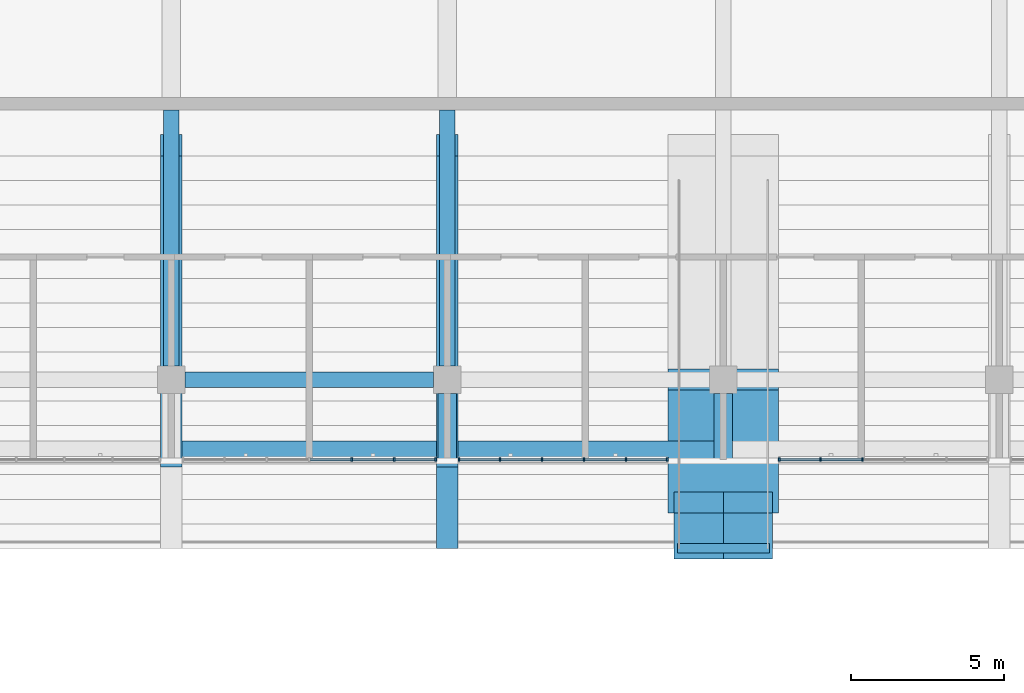
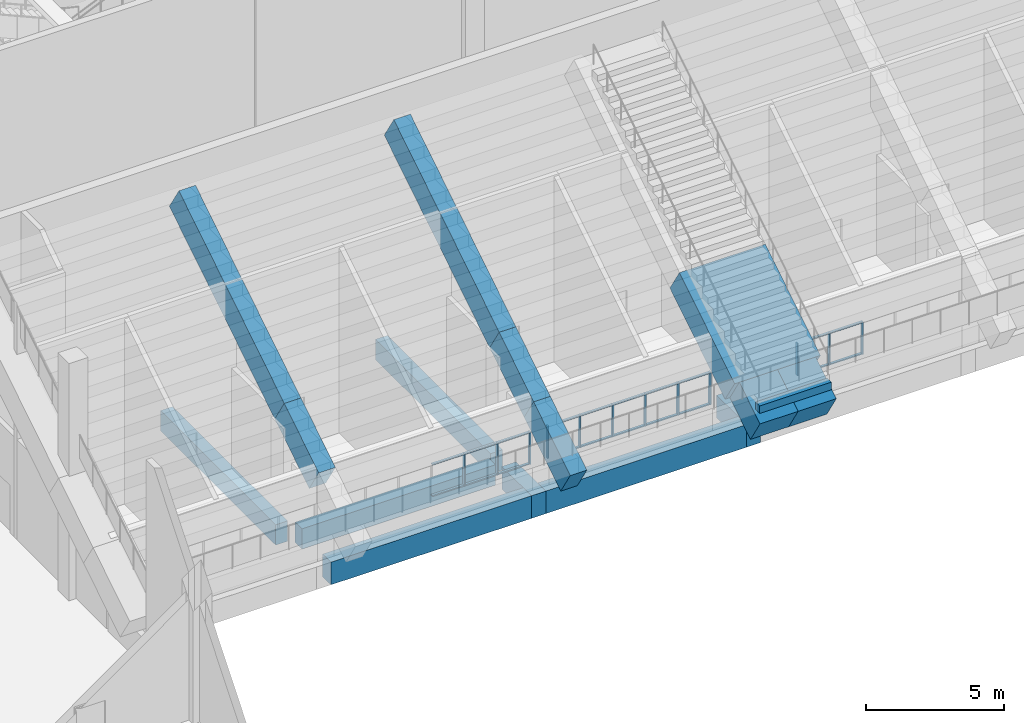
# One storey, part 36 of 182: 32 members, 16 beams, 3 elements without a shape of their own.
"""IFC4 building model written with IfcOpenShell, lengths in metres."""

from ifc_helpers import new_model, si_unit, direction, frame, origin, origin_2d, place, context, subcontext, project, spatial, rectangle, extrude, material, material_profile, profile_set, type_object, element, aggregate, save


model = new_model("IFC4")

# Units and contexts
model_context = context("Model", 3, precision=1e-05, world=origin(), true_north=direction((0.0, 1.0)))
body_context = subcontext(model_context, "Body", "Model", "MODEL_VIEW")
ifc_project = project(units=[si_unit("LENGTHUNIT", "METRE"), si_unit("AREAUNIT", "SQUARE_METRE"), si_unit("VOLUMEUNIT", "CUBIC_METRE"), si_unit("PLANEANGLEUNIT", "RADIAN"), si_unit("MASSUNIT", "GRAM", prefix="KILO")], contexts=[model_context])

# Site, building, storey
site_placement = place(None, origin())
site = spatial("IfcSite", under=ifc_project, at=site_placement, CompositionType="ELEMENT")
building_placement = place(site_placement, origin())
building = spatial("IfcBuilding", under=site, at=building_placement, Name="Silverbay Arena", CompositionType="ELEMENT")
storey_placement = place(building_placement, frame((0.0, 0.0, 11.5)))
storey = spatial("IfcBuildingStorey", under=building, at=storey_placement, Name="L02", CompositionType="ELEMENT", Elevation=11.5)

# Curtain wall, members
ifc_material_1 = material(Name="Fire-resisting glass", Category="glass")
curtain_wall_type_1 = type_object("IfcCurtainWallType", Name="Fire-resisting glazed screen EI 120 8300 x 1437", PredefinedType="NOTDEFINED", material=ifc_material_1)
curtain_wall_1_placement = place(storey_placement, origin())
curtain_wall_1 = element("IfcCurtainWall", 1, at=curtain_wall_1_placement, inside=storey, type_object=curtain_wall_type_1, Name="North suite front 2", PredefinedType="NOTDEFINED")
ifc_material_2 = material(Name="Aluminium", Category="aluminium")
ifc_material_profile_1 = material_profile(ifc_material_2, rectangle(XDim=0.1201171875, YDim=0.06005859375, at=origin_2d()), Name="Mullion 60 x 120")
ifc_profile_set_1 = profile_set([ifc_material_profile_1], Name="Aluminium")
member_type_1 = type_object("IfcMemberType", Name="Mullion 60 x 120", PredefinedType="MULLION", material=ifc_profile_set_1)
member_1_placement = place(storey_placement, frame((113.88330078125, 114.39990234375, 1.10009765625), z_axis=(0.0, 0.0, 1.0), x_axis=(0.0, 1.0, 0.0)))
member_1 = element("IfcMember", 2, at=member_1_placement, type_object=member_type_1, Name="CW18 mullion 5", PredefinedType="MULLION", context=body_context, shape_type="SweptSolid", body=[
    extrude(rectangle(XDim=0.1201171875, YDim=0.06005859375, at=origin_2d()), origin(), (0.0, 0.0, 1.0), 1.43701171875),
])
member_2_placement = place(storey_placement, frame((115.2666015625, 114.39990234375, 1.10009765625), z_axis=(0.0, 0.0, 1.0), x_axis=(0.0, 1.0, 0.0)))
member_2 = element("IfcMember", 3, at=member_2_placement, type_object=member_type_1, Name="CW18 mullion 6", PredefinedType="MULLION", context=body_context, shape_type="SweptSolid", body=[
    extrude(rectangle(XDim=0.1201171875, YDim=0.06005859375, at=origin_2d()), origin(), (0.0, 0.0, 1.0), 1.43701171875),
])
member_3_placement = place(storey_placement, frame((116.6201171875, 114.39990234375, 1.10009765625), z_axis=(0.0, 0.0, 1.0), x_axis=(0.0, 1.0, 0.0)))
member_3 = element("IfcMember", 4, at=member_3_placement, type_object=member_type_1, Name="CW18 mullion 7", PredefinedType="MULLION", context=body_context, shape_type="SweptSolid", body=[
    extrude(rectangle(XDim=0.1201171875, YDim=0.06005859375, at=origin_2d()), origin(), (0.0, 0.0, 1.0), 1.43701171875),
])

ifc_material_3 = material(Name="Fire-resisting glass", Category="glass")
curtain_wall_type_2 = type_object("IfcCurtainWallType", Name="Fire-resisting glazed screen EI 120 6850 x 1437", PredefinedType="NOTDEFINED", material=ifc_material_3)
curtain_wall_2_placement = place(storey_placement, origin())
curtain_wall_2 = element("IfcCurtainWall", 5, at=curtain_wall_2_placement, inside=storey, type_object=curtain_wall_type_2, Name="North suite front 3", PredefinedType="NOTDEFINED")
member_4_placement = place(storey_placement, frame((117.3798828125, 114.39990234375, 1.10009765625), z_axis=(0.0, 0.0, 1.0), x_axis=(0.0, 1.0, 0.0)))
member_4 = element("IfcMember", 6, at=member_4_placement, type_object=member_type_1, Name="CW19 mullion 1", PredefinedType="MULLION", context=body_context, shape_type="SweptSolid", body=[
    extrude(rectangle(XDim=0.1201171875, YDim=0.06005859375, at=origin_2d()), origin(), (0.0, 0.0, 1.0), 1.43701171875),
])
member_5_placement = place(storey_placement, frame((118.719970703125, 114.39990234375, 1.10009765625), z_axis=(0.0, 0.0, 1.0), x_axis=(0.0, 1.0, 0.0)))
member_5 = element("IfcMember", 7, at=member_5_placement, type_object=member_type_1, Name="CW19 mullion 2", PredefinedType="MULLION", context=body_context, shape_type="SweptSolid", body=[
    extrude(rectangle(XDim=0.1201171875, YDim=0.06005859375, at=origin_2d()), origin(), (0.0, 0.0, 1.0), 1.43701171875),
])
member_6_placement = place(storey_placement, frame((120.090087890625, 114.39990234375, 1.10009765625), z_axis=(0.0, 0.0, 1.0), x_axis=(0.0, 1.0, 0.0)))
member_6 = element("IfcMember", 8, at=member_6_placement, type_object=member_type_1, Name="CW19 mullion 3", PredefinedType="MULLION", context=body_context, shape_type="SweptSolid", body=[
    extrude(rectangle(XDim=0.1201171875, YDim=0.06005859375, at=origin_2d()), origin(), (0.0, 0.0, 1.0), 1.43701171875),
])
member_7_placement = place(storey_placement, frame((121.4599609375, 114.39990234375, 1.10009765625), z_axis=(0.0, 0.0, 1.0), x_axis=(0.0, 1.0, 0.0)))
member_7 = element("IfcMember", 9, at=member_7_placement, type_object=member_type_1, Name="CW19 mullion 4", PredefinedType="MULLION", context=body_context, shape_type="SweptSolid", body=[
    extrude(rectangle(XDim=0.1201171875, YDim=0.06005859375, at=origin_2d()), origin(), (0.0, 0.0, 1.0), 1.43701171875),
])
member_8_placement = place(storey_placement, frame((122.830078125, 114.39990234375, 1.10009765625), z_axis=(0.0, 0.0, 1.0), x_axis=(0.0, 1.0, 0.0)))
member_8 = element("IfcMember", 10, at=member_8_placement, type_object=member_type_1, Name="CW19 mullion 5", PredefinedType="MULLION", context=body_context, shape_type="SweptSolid", body=[
    extrude(rectangle(XDim=0.1201171875, YDim=0.06005859375, at=origin_2d()), origin(), (0.0, 0.0, 1.0), 1.43701171875),
])
member_9_placement = place(storey_placement, frame((124.169921875, 114.39990234375, 1.10009765625), z_axis=(0.0, 0.0, 1.0), x_axis=(0.0, 1.0, 0.0)))
member_9 = element("IfcMember", 11, at=member_9_placement, type_object=member_type_1, Name="CW19 mullion 6", PredefinedType="MULLION", context=body_context, shape_type="SweptSolid", body=[
    extrude(rectangle(XDim=0.1201171875, YDim=0.06005859375, at=origin_2d()), origin(), (0.0, 0.0, 1.0), 1.43701171875),
])

curtain_wall_3_placement = place(storey_placement, origin())
curtain_wall_3 = element("IfcCurtainWall", 12, at=curtain_wall_3_placement, inside=storey, type_object=curtain_wall_type_2, Name="North suite front 4", PredefinedType="NOTDEFINED")
member_10_placement = place(storey_placement, frame((127.830078125, 114.39990234375, 1.10009765625), z_axis=(0.0, 0.0, 1.0), x_axis=(0.0, 1.0, 0.0)))
member_10 = element("IfcMember", 13, at=member_10_placement, type_object=member_type_1, Name="CW19 mullion 1", PredefinedType="MULLION", context=body_context, shape_type="SweptSolid", body=[
    extrude(rectangle(XDim=0.1201171875, YDim=0.06005859375, at=origin_2d()), origin(), (0.0, 0.0, 1.0), 1.43701171875),
])
member_11_placement = place(storey_placement, frame((129.169921875, 114.39990234375, 1.10009765625), z_axis=(0.0, 0.0, 1.0), x_axis=(0.0, 1.0, 0.0)))
member_11 = element("IfcMember", 14, at=member_11_placement, type_object=member_type_1, Name="CW19 mullion 2", PredefinedType="MULLION", context=body_context, shape_type="SweptSolid", body=[
    extrude(rectangle(XDim=0.1201171875, YDim=0.06005859375, at=origin_2d()), origin(), (0.0, 0.0, 1.0), 1.43701171875),
])
member_12_placement = place(storey_placement, frame((130.5400390625, 114.39990234375, 1.10009765625), z_axis=(0.0, 0.0, 1.0), x_axis=(0.0, 1.0, 0.0)))
member_12 = element("IfcMember", 15, at=member_12_placement, type_object=member_type_1, Name="CW19 mullion 3", PredefinedType="MULLION", context=body_context, shape_type="SweptSolid", body=[
    extrude(rectangle(XDim=0.1201171875, YDim=0.06005859375, at=origin_2d()), origin(), (0.0, 0.0, 1.0), 1.43701171875),
])

# Beams
ifc_material_4 = material(Name="Concrete Grade C45", Category="concrete")
ifc_material_profile_2 = material_profile(ifc_material_4, rectangle(XDim=0.5, YDim=0.89990234375, at=origin_2d()), Name="RC 500x900")
ifc_profile_set_2 = profile_set([ifc_material_profile_2], Name="Concrete Grade C45")
beam_type_1 = type_object("IfcBeamType", Name="RC beam 500x900", PredefinedType="BEAM", material=ifc_profile_set_2)
beam_1_placement = place(storey_placement, frame((108.449951171875, 117.0, -0.800048828125), z_axis=(1.0, 0.0, 0.0), x_axis=(0.0, 1.0, 0.0)))
element("IfcBeam", 16, at=beam_1_placement, inside=storey, type_object=beam_type_1, Name="Floor beam L02 143", PredefinedType="BEAM", context=body_context, shape_type="SweptSolid", body=[
    extrude(rectangle(XDim=0.5, YDim=0.89990234375, at=origin_2d()), origin(), (0.0, 0.0, 1.0), 8.10009765625),
])
for number, where, z_axis, x_axis, name in (
    (17, (108.0, 117.449951171875, -0.800048828125), (0.0, 1.0, 0.0), (-1.0, 0.0, 0.0), "Floor beam L02 257"),
    (18, (117.0, 117.449951171875, -0.800048828125), (0.0, 1.0, 0.0), (-1.0, 0.0, 0.0), "Floor beam L02 263"),
):
    element("IfcBeam", number, at=place(storey_placement, frame(where, z_axis=z_axis, x_axis=x_axis)), inside=storey, type_object=beam_type_1, Name=name, PredefinedType="BEAM", context=body_context, shape_type="SweptSolid", body=[
        extrude(rectangle(XDim=0.5, YDim=0.89990234375, at=origin_2d()), origin(), (0.0, 0.0, 1.0), 8.35009765625),
    ])
ifc_material_5 = material(Name="Concrete Grade C45", Category="concrete")
ifc_material_profile_3 = material_profile(ifc_material_5, rectangle(XDim=0.60009765625, YDim=1.0, at=origin_2d()), Name="RC 600x1000")
ifc_profile_set_3 = profile_set([ifc_material_profile_3], Name="Concrete Grade C45")
beam_type_2 = type_object("IfcBeamType", Name="RC beam 600x1000", PredefinedType="BEAM", material=ifc_profile_set_3)
for number, where, z_axis, x_axis, name in (
    (19, (117.0, 114.39990234375, -0.85009765625), (0.0, 1.0, 0.0), (-1.0, 0.0, 0.0), "Floor beam L02 262"),
    (20, (126.0, 114.39990234375, -0.85009765625), (0.0, 1.0, 0.0), (-1.0, 0.0, 0.0), "Floor beam L02 269"),
):
    element("IfcBeam", number, at=place(storey_placement, frame(where, z_axis=z_axis, x_axis=x_axis)), inside=storey, type_object=beam_type_2, Name=name, PredefinedType="BEAM", context=body_context, shape_type="SweptSolid", body=[
        extrude(rectangle(XDim=0.60009765625, YDim=1.0, at=origin_2d()), origin(), (0.0, 0.0, 1.0), 2.150146484375),
    ])
for number, where, z_axis, x_axis, name in (
    (21, (108.300048828125, 114.699951171875, -0.85009765625), (1.0, 0.0, 0.0), (0.0, 1.0, 0.0), "Floor beam L02 373"),
    (22, (117.300048828125, 114.699951171875, -0.85009765625), (1.0, 0.0, 0.0), (0.0, 1.0, 0.0), "Floor beam L02 374"),
):
    element("IfcBeam", number, at=place(storey_placement, frame(where, z_axis=z_axis, x_axis=x_axis)), inside=storey, type_object=beam_type_2, Name=name, PredefinedType="BEAM", context=body_context, shape_type="SweptSolid", body=[
        extrude(rectangle(XDim=0.60009765625, YDim=1.0, at=origin_2d()), origin(), (0.0, 0.0, 1.0), 8.39990234375),
    ])
ifc_material_6 = material(Name="Concrete Grade C45", Category="concrete")
ifc_material_profile_4 = material_profile(ifc_material_6, rectangle(XDim=1.60009765625, YDim=1.300048828125, at=origin_2d()), Name="RC 1600x1300")
ifc_profile_set_4 = profile_set([ifc_material_profile_4], Name="Concrete Grade C45")
beam_type_3 = type_object("IfcBeamType", Name="RC cantilever raker 1600x1300", PredefinedType="BEAM", material=ifc_profile_set_4)
for number, where, z_axis, x_axis, name in (
    (23, (125.199951171875, 111.5, 1.553466796875), (0.0, 0.847998304005, 0.529998940003), (-1.0, 0.0, 0.0), "Raker North upper 126 nose L"),
    (24, (126.800048828125, 111.5, 1.553466796875), (0.0, 0.847998304005, 0.529998940003), (-1.0, 0.0, 0.0), "Raker North upper 126 nose R"),
):
    element("IfcBeam", number, at=place(storey_placement, frame(where, z_axis=z_axis, x_axis=x_axis)), inside=storey, type_object=beam_type_3, Name=name, PredefinedType="BEAM", context=body_context, shape_type="SweptSolid", body=[
        extrude(rectangle(XDim=1.60009765625, YDim=1.300048828125, at=origin_2d()), origin(), (0.0, 0.0, 1.0), 1.768798828125),
    ])
ifc_material_7 = material(Name="Concrete Grade C45", Category="concrete")
ifc_material_profile_5 = material_profile(ifc_material_7, rectangle(XDim=3.60009765625, YDim=1.300048828125, at=origin_2d()), Name="RC 3600x1300")
ifc_profile_set_5 = profile_set([ifc_material_profile_5], Name="Concrete Grade C45")
beam_type_4 = type_object("IfcBeamType", Name="RC cantilever raker 3600x1300", PredefinedType="BEAM", material=ifc_profile_set_5)
beam_2_placement = place(storey_placement, frame((126.0, 113.0, 2.490966796875), z_axis=(0.0, 0.847998304005, 0.529998940003), x_axis=(-1.0, 0.0, 0.0)))
element("IfcBeam", 25, at=beam_2_placement, inside=storey, type_object=beam_type_4, Name="Raker North upper 126 tip", PredefinedType="BEAM", context=body_context, shape_type="SweptSolid", body=[
    extrude(rectangle(XDim=3.60009765625, YDim=1.300048828125, at=origin_2d()), origin(), (0.0, 0.0, 1.0), 4.717041015625),
])
ifc_material_8 = material(Name="Concrete Grade C45", Category="concrete")
ifc_material_profile_6 = material_profile(ifc_material_8, rectangle(XDim=0.699951171875, YDim=1.300048828125, at=origin_2d()), Name="RC 700x1300")
ifc_profile_set_6 = profile_set([ifc_material_profile_6], Name="Concrete Grade C45")
beam_type_5 = type_object("IfcBeamType", Name="RC cantilever raker 700x1300", PredefinedType="BEAM", material=ifc_profile_set_6)
beam_3_placement = place(storey_placement, frame((108.0, 114.5, 3.428466796875), z_axis=(0.0, 0.847998304005, 0.529998940003), x_axis=(-1.0, 0.0, 0.0)))
element("IfcBeam", 26, at=beam_3_placement, inside=storey, type_object=beam_type_5, Name="Raker North upper 108 mid", PredefinedType="BEAM", context=body_context, shape_type="SweptSolid", body=[
    extrude(rectangle(XDim=0.699951171875, YDim=1.300048828125, at=origin_2d()), origin(), (0.0, 0.0, 1.0), 2.947998046875),
])
beam_4_placement = place(storey_placement, frame((117.0, 111.844482421875, 1.768798828125), z_axis=(0.0, 0.848002683915, 0.529991932082), x_axis=(-1.0, 0.0, 0.0)))
element("IfcBeam", 27, at=beam_4_placement, inside=storey, type_object=beam_type_5, Name="Raker North upper 117 tip", PredefinedType="BEAM", context=body_context, shape_type="SweptSolid", body=[
    extrude(rectangle(XDim=0.699951171875, YDim=1.300048828125, at=origin_2d()), origin(), (0.0, 0.0, 1.0), 3.131591796875),
])
beam_5_placement = place(storey_placement, frame((117.0, 114.5, 3.428466796875), z_axis=(0.0, 0.847998304005, 0.529998940003), x_axis=(-1.0, 0.0, 0.0)))
element("IfcBeam", 28, at=beam_5_placement, inside=storey, type_object=beam_type_5, Name="Raker North upper 117 mid", PredefinedType="BEAM", context=body_context, shape_type="SweptSolid", body=[
    extrude(rectangle(XDim=0.699951171875, YDim=1.300048828125, at=origin_2d()), origin(), (0.0, 0.0, 1.0), 2.947998046875),
])
ifc_material_9 = material(Name="Concrete Grade C45", Category="concrete")
ifc_material_profile_7 = material_profile(ifc_material_9, rectangle(XDim=0.300048828125, YDim=0.336181640625, at=origin_2d()), Name="RC 300x336")
ifc_profile_set_7 = profile_set([ifc_material_profile_7], Name="Concrete Grade C45")
beam_type_6 = type_object("IfcBeamType", Name="RC foot plinth 300x336", PredefinedType="BEAM", material=ifc_profile_set_7)
beam_6_placement = place(storey_placement, frame((124.5, 111.5, 2.581787109375), z_axis=(1.0, 0.0, 0.0), x_axis=(0.0, 1.0, 0.0)))
element("IfcBeam", 29, at=beam_6_placement, inside=storey, type_object=beam_type_6, Name="Foot plinth North upper 126", PredefinedType="BEAM", context=body_context, shape_type="SweptSolid", body=[
    extrude(rectangle(XDim=0.300048828125, YDim=0.336181640625, at=origin_2d()), origin(), (0.0, 0.0, 1.0), 3.0),
])
ifc_material_10 = material(Name="Concrete Grade C45", Category="concrete")
ifc_material_profile_8 = material_profile(ifc_material_10, rectangle(XDim=0.699951171875, YDim=1.300048828125, at=origin_2d()), Name="RC 700x1300")
ifc_profile_set_8 = profile_set([ifc_material_profile_8], Name="Concrete Grade C45")
beam_type_7 = type_object("IfcBeamType", Name="RC tier raker 700x1300", PredefinedType="BEAM", material=ifc_profile_set_8)
for number, where, z_axis, x_axis, name in (
    (30, (108.0, 117.0, 4.990966796875), (0.0, 0.847998304005, 0.529998940003), (-1.0, 0.0, 0.0), "Raker North upper 108 back"),
    (31, (117.0, 117.0, 4.990966796875), (0.0, 0.847998304005, 0.529998940003), (-1.0, 0.0, 0.0), "Raker North upper 117 back"),
):
    element("IfcBeam", number, at=place(storey_placement, frame(where, z_axis=z_axis, x_axis=x_axis)), inside=storey, type_object=beam_type_7, Name=name, PredefinedType="BEAM", context=body_context, shape_type="SweptSolid", body=[
        extrude(rectangle(XDim=0.699951171875, YDim=1.300048828125, at=origin_2d()), origin(), (0.0, 0.0, 1.0), 9.014892578125),
    ])

# Member
ifc_material_11 = material(Name="Aluminium", Category="aluminium")
ifc_material_profile_9 = material_profile(ifc_material_11, rectangle(XDim=0.10009765625, YDim=0.050048828125, at=origin_2d()), Name="Transom 50 x 100")
ifc_profile_set_9 = profile_set([ifc_material_profile_9], Name="Aluminium")
member_type_2 = type_object("IfcMemberType", Name="Transom 50 x 100", PredefinedType="USERDEFINED", material=ifc_profile_set_9)
member_13_placement = place(storey_placement, frame((112.530029296875, 114.39990234375, 1.125), z_axis=(1.0, 0.0, 0.0), x_axis=(0.0, 1.0, 0.0)))
member_13 = element("IfcMember", 32, at=member_13_placement, type_object=member_type_2, Name="CW18 transom 4.1", ObjectType="TRANSOM", PredefinedType="USERDEFINED", context=body_context, shape_type="SweptSolid", body=[
    extrude(rectangle(XDim=0.10009765625, YDim=0.050048828125, at=origin_2d()), origin(), (0.0, 0.0, 1.0), 1.3232421875),
])

member_14_placement = place(storey_placement, frame((112.530029296875, 114.39990234375, 2.511962890625), z_axis=(1.0, 0.0, 0.0), x_axis=(0.0, 1.0, 0.0)))
member_14 = element("IfcMember", 33, at=member_14_placement, type_object=member_type_2, Name="CW18 transom 4.2", ObjectType="TRANSOM", PredefinedType="USERDEFINED", context=body_context, shape_type="SweptSolid", body=[
    extrude(rectangle(XDim=0.10009765625, YDim=0.050048828125, at=origin_2d()), origin(), (0.0, 0.0, 1.0), 1.3232421875),
])

member_15_placement = place(storey_placement, frame((113.913330078125, 114.39990234375, 1.125), z_axis=(1.0, 0.0, 0.0), x_axis=(0.0, 1.0, 0.0)))
member_15 = element("IfcMember", 34, at=member_15_placement, type_object=member_type_2, Name="CW18 transom 5.1", ObjectType="TRANSOM", PredefinedType="USERDEFINED", context=body_context, shape_type="SweptSolid", body=[
    extrude(rectangle(XDim=0.10009765625, YDim=0.050048828125, at=origin_2d()), origin(), (0.0, 0.0, 1.0), 1.3232421875),
])

member_16_placement = place(storey_placement, frame((113.913330078125, 114.39990234375, 2.511962890625), z_axis=(1.0, 0.0, 0.0), x_axis=(0.0, 1.0, 0.0)))
member_16 = element("IfcMember", 35, at=member_16_placement, type_object=member_type_2, Name="CW18 transom 5.2", ObjectType="TRANSOM", PredefinedType="USERDEFINED", context=body_context, shape_type="SweptSolid", body=[
    extrude(rectangle(XDim=0.10009765625, YDim=0.050048828125, at=origin_2d()), origin(), (0.0, 0.0, 1.0), 1.3232421875),
])

member_17_placement = place(storey_placement, frame((115.296630859375, 114.39990234375, 1.125), z_axis=(1.0, 0.0, 0.0), x_axis=(0.0, 1.0, 0.0)))
member_17 = element("IfcMember", 36, at=member_17_placement, type_object=member_type_2, Name="CW18 transom 6.1", ObjectType="TRANSOM", PredefinedType="USERDEFINED", context=body_context, shape_type="SweptSolid", body=[
    extrude(rectangle(XDim=0.10009765625, YDim=0.050048828125, at=origin_2d()), origin(), (0.0, 0.0, 1.0), 1.29345703125),
])

member_18_placement = place(storey_placement, frame((115.296630859375, 114.39990234375, 2.511962890625), z_axis=(1.0, 0.0, 0.0), x_axis=(0.0, 1.0, 0.0)))
member_18 = element("IfcMember", 37, at=member_18_placement, type_object=member_type_2, Name="CW18 transom 6.2", ObjectType="TRANSOM", PredefinedType="USERDEFINED", context=body_context, shape_type="SweptSolid", body=[
    extrude(rectangle(XDim=0.10009765625, YDim=0.050048828125, at=origin_2d()), origin(), (0.0, 0.0, 1.0), 1.29345703125),
])

aggregate(curtain_wall_1, [member_1, member_2, member_3, member_13, member_14, member_15, member_16, member_17, member_18])

member_19_placement = place(storey_placement, frame((117.409912109375, 114.39990234375, 1.125), z_axis=(1.0, 0.0, 0.0), x_axis=(0.0, 1.0, 0.0)))
member_19 = element("IfcMember", 38, at=member_19_placement, type_object=member_type_2, Name="CW19 transom 1.1", ObjectType="TRANSOM", PredefinedType="USERDEFINED", context=body_context, shape_type="SweptSolid", body=[
    extrude(rectangle(XDim=0.10009765625, YDim=0.050048828125, at=origin_2d()), origin(), (0.0, 0.0, 1.0), 1.280029296875),
])

member_20_placement = place(storey_placement, frame((117.409912109375, 114.39990234375, 2.511962890625), z_axis=(1.0, 0.0, 0.0), x_axis=(0.0, 1.0, 0.0)))
member_20 = element("IfcMember", 39, at=member_20_placement, type_object=member_type_2, Name="CW19 transom 1.2", ObjectType="TRANSOM", PredefinedType="USERDEFINED", context=body_context, shape_type="SweptSolid", body=[
    extrude(rectangle(XDim=0.10009765625, YDim=0.050048828125, at=origin_2d()), origin(), (0.0, 0.0, 1.0), 1.280029296875),
])

member_21_placement = place(storey_placement, frame((118.75, 114.39990234375, 1.125), z_axis=(1.0, 0.0, 0.0), x_axis=(0.0, 1.0, 0.0)))
member_21 = element("IfcMember", 40, at=member_21_placement, type_object=member_type_2, Name="CW19 transom 2.1", ObjectType="TRANSOM", PredefinedType="USERDEFINED", context=body_context, shape_type="SweptSolid", body=[
    extrude(rectangle(XDim=0.10009765625, YDim=0.050048828125, at=origin_2d()), origin(), (0.0, 0.0, 1.0), 1.31005859375),
])

member_22_placement = place(storey_placement, frame((118.75, 114.39990234375, 2.511962890625), z_axis=(1.0, 0.0, 0.0), x_axis=(0.0, 1.0, 0.0)))
member_22 = element("IfcMember", 41, at=member_22_placement, type_object=member_type_2, Name="CW19 transom 2.2", ObjectType="TRANSOM", PredefinedType="USERDEFINED", context=body_context, shape_type="SweptSolid", body=[
    extrude(rectangle(XDim=0.10009765625, YDim=0.050048828125, at=origin_2d()), origin(), (0.0, 0.0, 1.0), 1.31005859375),
])

member_23_placement = place(storey_placement, frame((120.1201171875, 114.39990234375, 1.125), z_axis=(1.0, 0.0, 0.0), x_axis=(0.0, 1.0, 0.0)))
member_23 = element("IfcMember", 42, at=member_23_placement, type_object=member_type_2, Name="CW19 transom 3.1", ObjectType="TRANSOM", PredefinedType="USERDEFINED", context=body_context, shape_type="SweptSolid", body=[
    extrude(rectangle(XDim=0.10009765625, YDim=0.050048828125, at=origin_2d()), origin(), (0.0, 0.0, 1.0), 1.309814453125),
])

member_24_placement = place(storey_placement, frame((120.1201171875, 114.39990234375, 2.511962890625), z_axis=(1.0, 0.0, 0.0), x_axis=(0.0, 1.0, 0.0)))
member_24 = element("IfcMember", 43, at=member_24_placement, type_object=member_type_2, Name="CW19 transom 3.2", ObjectType="TRANSOM", PredefinedType="USERDEFINED", context=body_context, shape_type="SweptSolid", body=[
    extrude(rectangle(XDim=0.10009765625, YDim=0.050048828125, at=origin_2d()), origin(), (0.0, 0.0, 1.0), 1.309814453125),
])

member_25_placement = place(storey_placement, frame((121.489990234375, 114.39990234375, 1.125), z_axis=(1.0, 0.0, 0.0), x_axis=(0.0, 1.0, 0.0)))
member_25 = element("IfcMember", 44, at=member_25_placement, type_object=member_type_2, Name="CW19 transom 4.1", ObjectType="TRANSOM", PredefinedType="USERDEFINED", context=body_context, shape_type="SweptSolid", body=[
    extrude(rectangle(XDim=0.10009765625, YDim=0.050048828125, at=origin_2d()), origin(), (0.0, 0.0, 1.0), 1.31005859375),
])

member_26_placement = place(storey_placement, frame((121.489990234375, 114.39990234375, 2.511962890625), z_axis=(1.0, 0.0, 0.0), x_axis=(0.0, 1.0, 0.0)))
member_26 = element("IfcMember", 45, at=member_26_placement, type_object=member_type_2, Name="CW19 transom 4.2", ObjectType="TRANSOM", PredefinedType="USERDEFINED", context=body_context, shape_type="SweptSolid", body=[
    extrude(rectangle(XDim=0.10009765625, YDim=0.050048828125, at=origin_2d()), origin(), (0.0, 0.0, 1.0), 1.31005859375),
])

member_27_placement = place(storey_placement, frame((122.860107421875, 114.39990234375, 1.125), z_axis=(1.0, 0.0, 0.0), x_axis=(0.0, 1.0, 0.0)))
member_27 = element("IfcMember", 46, at=member_27_placement, type_object=member_type_2, Name="CW19 transom 5.1", ObjectType="TRANSOM", PredefinedType="USERDEFINED", context=body_context, shape_type="SweptSolid", body=[
    extrude(rectangle(XDim=0.10009765625, YDim=0.050048828125, at=origin_2d()), origin(), (0.0, 0.0, 1.0), 1.27978515625),
])

member_28_placement = place(storey_placement, frame((122.860107421875, 114.39990234375, 2.511962890625), z_axis=(1.0, 0.0, 0.0), x_axis=(0.0, 1.0, 0.0)))
member_28 = element("IfcMember", 47, at=member_28_placement, type_object=member_type_2, Name="CW19 transom 5.2", ObjectType="TRANSOM", PredefinedType="USERDEFINED", context=body_context, shape_type="SweptSolid", body=[
    extrude(rectangle(XDim=0.10009765625, YDim=0.050048828125, at=origin_2d()), origin(), (0.0, 0.0, 1.0), 1.27978515625),
])

aggregate(curtain_wall_2, [member_4, member_5, member_6, member_7, member_8, member_9, member_19, member_20, member_21, member_22, member_23, member_24, member_25, member_26, member_27, member_28])

member_29_placement = place(storey_placement, frame((127.860107421875, 114.39990234375, 1.125), z_axis=(1.0, 0.0, 0.0), x_axis=(0.0, 1.0, 0.0)))
member_29 = element("IfcMember", 48, at=member_29_placement, type_object=member_type_2, Name="CW19 transom 1.1", ObjectType="TRANSOM", PredefinedType="USERDEFINED", context=body_context, shape_type="SweptSolid", body=[
    extrude(rectangle(XDim=0.10009765625, YDim=0.050048828125, at=origin_2d()), origin(), (0.0, 0.0, 1.0), 1.27978515625),
])

member_30_placement = place(storey_placement, frame((127.860107421875, 114.39990234375, 2.511962890625), z_axis=(1.0, 0.0, 0.0), x_axis=(0.0, 1.0, 0.0)))
member_30 = element("IfcMember", 49, at=member_30_placement, type_object=member_type_2, Name="CW19 transom 1.2", ObjectType="TRANSOM", PredefinedType="USERDEFINED", context=body_context, shape_type="SweptSolid", body=[
    extrude(rectangle(XDim=0.10009765625, YDim=0.050048828125, at=origin_2d()), origin(), (0.0, 0.0, 1.0), 1.27978515625),
])

member_31_placement = place(storey_placement, frame((129.199951171875, 114.39990234375, 1.125), z_axis=(1.0, 0.0, 0.0), x_axis=(0.0, 1.0, 0.0)))
member_31 = element("IfcMember", 50, at=member_31_placement, type_object=member_type_2, Name="CW19 transom 2.1", ObjectType="TRANSOM", PredefinedType="USERDEFINED", context=body_context, shape_type="SweptSolid", body=[
    extrude(rectangle(XDim=0.10009765625, YDim=0.050048828125, at=origin_2d()), origin(), (0.0, 0.0, 1.0), 1.31005859375),
])

member_32_placement = place(storey_placement, frame((129.199951171875, 114.39990234375, 2.511962890625), z_axis=(1.0, 0.0, 0.0), x_axis=(0.0, 1.0, 0.0)))
member_32 = element("IfcMember", 51, at=member_32_placement, type_object=member_type_2, Name="CW19 transom 2.2", ObjectType="TRANSOM", PredefinedType="USERDEFINED", context=body_context, shape_type="SweptSolid", body=[
    extrude(rectangle(XDim=0.10009765625, YDim=0.050048828125, at=origin_2d()), origin(), (0.0, 0.0, 1.0), 1.31005859375),
])

aggregate(curtain_wall_3, [member_10, member_11, member_12, member_29, member_30, member_31, member_32])

save(model, "model.ifc")
